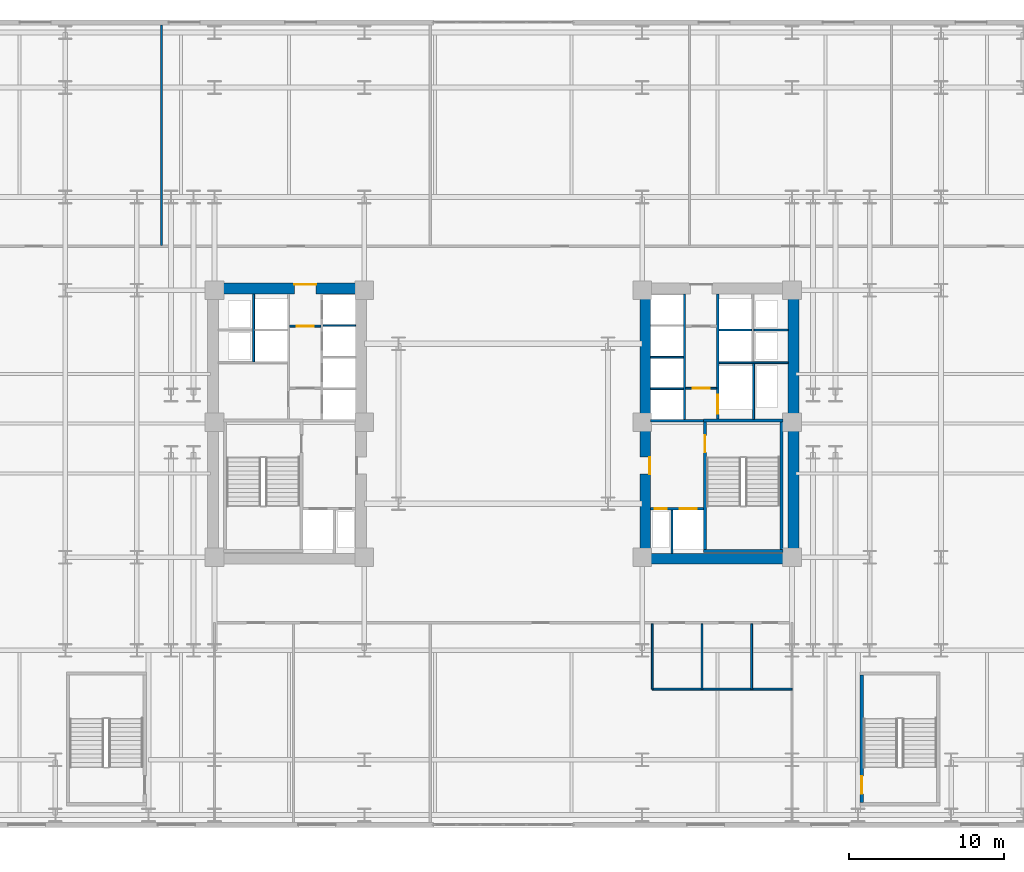
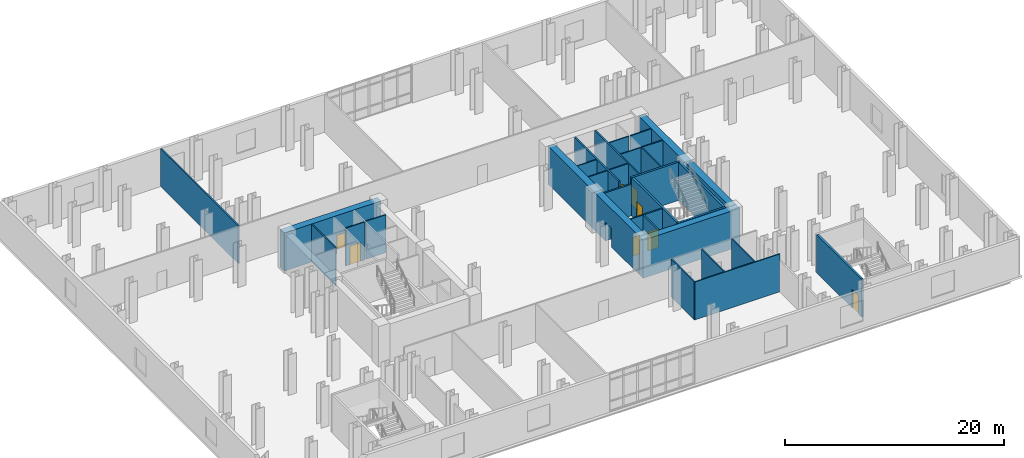
# One storey, part 9 of 13: 29 walls, 9 doors, 9 openings.
"""IFC4 building model written with IfcOpenShell, lengths in metres."""

import ifcopenshell
import ifcopenshell.guid

model = None  # the IFC model being written
_history = None  # IfcOwnerHistory: only IFC2X3 demands one
_inside = {}  # id of a spatial element -> (the spatial element, [elements in it])
_under = {}  # id of a project, library or spatial element -> (it, [spatial elements below it])
_declared = {}  # id of a project -> (the project, [libraries it declares])
_typed = {}  # id of a type object -> (the type object, [elements of that type])
_made_of = {}  # id of a material, layer set ... -> (it, [elements and type objects made of it])


def new_model(schema):
    """Start an empty IFC model of exactly this schema.

    Asked for "IFC4X3", IfcOpenShell would pick the latest addendum, in which some entities
    have other attributes; the version numbers below select the first issue.
    IFC2X3 requires an IfcOwnerHistory on every rooted entity: one is made here for all.
    """
    global model, _history
    if schema == "IFC4X3":
        model = ifcopenshell.file(schema_version=(4, 3, 0, 0))
    else:
        model = ifcopenshell.file(schema=schema)
    _inside.clear()
    _under.clear()
    _declared.clear()
    _typed.clear()
    _made_of.clear()
    _history = None
    if model.schema == "IFC2X3":
        org = make("IfcOrganization", Name="unknown")
        user = make(
            "IfcPersonAndOrganization",
            ThePerson=make("IfcPerson", FamilyName="unknown"),
            TheOrganization=org,
        )
        app = make(
            "IfcApplication",
            ApplicationDeveloper=org,
            Version="unknown",
            ApplicationFullName="unknown",
            ApplicationIdentifier="unknown",
        )
        _history = make(
            "IfcOwnerHistory",
            OwningUser=user,
            OwningApplication=app,
            ChangeAction="ADDED",
            CreationDate=0,
        )
    return model


def make(cls, **values):
    """One entity of the class cls with the attributes given. An attribute that is None is left unset."""
    return model.create_entity(
        cls, **{name: value for name, value in values.items() if value is not None}
    )


def rooted(cls, **values):
    """An entity with a GlobalId (a new one), such as an element, a storey or a relation."""
    return make(cls, GlobalId=ifcopenshell.guid.new(), OwnerHistory=_history, **values)


def si_unit(unit_type, name, prefix=None):
    """IfcSIUnit, for example si_unit("LENGTHUNIT", "METRE", prefix="MILLI")."""
    return make("IfcSIUnit", UnitType=unit_type, Prefix=prefix, Name=name)


def assignment(units):
    """IfcUnitAssignment: the units of a project."""
    return None if units is None else make("IfcUnitAssignment", Units=units)


def point(xyz):
    """IfcCartesianPoint."""
    return None if xyz is None else make("IfcCartesianPoint", Coordinates=xyz)


def direction(xyz):
    """IfcDirection."""
    return None if xyz is None else make("IfcDirection", DirectionRatios=xyz)


def frame(location, z_axis=None, x_axis=None):
    """IfcAxis2Placement3D, a coordinate frame: its origin and axes. An axis left out is left unset."""
    return make(
        "IfcAxis2Placement3D",
        Location=point(location),
        Axis=direction(z_axis),
        RefDirection=direction(x_axis),
    )


def frame_2d(location, x_axis=None):
    """IfcAxis2Placement2D, a coordinate frame in the plane: its origin and x axis."""
    return make(
        "IfcAxis2Placement2D", Location=point(location), RefDirection=direction(x_axis)
    )


def origin():
    """The frame at (0, 0, 0) with its axes left unset."""
    return frame((0.0, 0.0, 0.0))


def place(relative_to, where):
    """IfcLocalPlacement: puts the frame where relative to a parent placement (None: the world)."""
    return make(
        "IfcLocalPlacement", PlacementRelTo=relative_to, RelativePlacement=where
    )


def context(
    kind, dimensions, precision=None, world=None, true_north=None, identifier=None
):
    """IfcGeometricRepresentationContext, for example the 3D "Model" context."""
    return make(
        "IfcGeometricRepresentationContext",
        ContextIdentifier=identifier,
        ContextType=kind,
        CoordinateSpaceDimension=dimensions,
        Precision=precision,
        WorldCoordinateSystem=world,
        TrueNorth=true_north,
    )


def subcontext(parent, identifier, kind, view, scale=None):
    """IfcGeometricRepresentationSubContext, for example "Body" below "Model"."""
    return make(
        "IfcGeometricRepresentationSubContext",
        ContextIdentifier=identifier,
        ContextType=kind,
        ParentContext=parent,
        TargetScale=scale,
        TargetView=view,
    )


def project(units=None, contexts=None):
    """IfcProject with its units and contexts."""
    return rooted(
        "IfcProject",
        Name="project",
        RepresentationContexts=contexts,
        UnitsInContext=assignment(units),
    )


def spatial(cls, under=None, at=None, **own):
    """A site, building, storey or space (cls), placed at a placement, below another one or the project."""
    s = rooted(cls, ObjectPlacement=at, **own)
    if under is not None:
        _under.setdefault(under.id(), (under, []))[1].append(s)
    return s


def profile(cls, at=None, kind="AREA", **sizes):
    """A parametric profile (cls). Its sizes go by their IFC names, for example OverallWidth=200.0."""
    return make(cls, ProfileType=kind, Position=at, **sizes)


def rectangle(**sizes):
    """IfcRectangleProfileDef."""
    return profile("IfcRectangleProfileDef", **sizes)


def extrude(swept, where, along, depth):
    """IfcExtrudedAreaSolid: the profile swept, set in the frame where, extruded along a direction by depth."""
    return make(
        "IfcExtrudedAreaSolid",
        SweptArea=swept,
        Position=where,
        ExtrudedDirection=direction(along),
        Depth=depth,
    )


def shape(context_of_items, identifier, shape_type, items):
    """IfcShapeRepresentation: the items that make up one representation, for example the "Body"."""
    return make(
        "IfcShapeRepresentation",
        ContextOfItems=context_of_items,
        RepresentationIdentifier=identifier,
        RepresentationType=shape_type,
        Items=items,
    )


def material(Name=None, Category=None):
    """IfcMaterial."""
    return make("IfcMaterial", Name=Name, Category=Category)


def layer(
    of_material, thickness, ventilated=None, Name=None, Category=None, Priority=None
):
    """IfcMaterialLayer: one layer of a wall or slab, of a material (None: an air gap)."""
    return make(
        "IfcMaterialLayer",
        Material=of_material,
        LayerThickness=thickness,
        IsVentilated=ventilated,
        Name=Name,
        Category=Category,
        Priority=Priority,
    )


def layer_set(layers, Name=None):
    """IfcMaterialLayerSet."""
    return make("IfcMaterialLayerSet", MaterialLayers=layers, LayerSetName=Name)


def made_of(thing, what):
    """Note that an element or type object is made of a material, layer set ...; save() writes the relation."""
    if what is not None:
        _made_of.setdefault(what.id(), (what, []))[1].append(thing)
    return thing


def type_object(cls, material=None, **own):
    """A type object (cls), such as IfcWallType, which elements share."""
    return made_of(rooted(cls, **own), material)


def element(
    cls,
    number,
    at=None,
    inside=None,
    cuts=None,
    type_object=None,
    material=None,
    context=None,
    identifier="Body",
    shape_type=None,
    held_by="IfcProductDefinitionShape",
    body=None,
    shapes=None,
    **own,
):
    """One element of the class cls, such as IfcWall. Its Tag is "e" and its number.

    at: its placement. inside: the storey or other place that contains it. cuts: it is an
    opening in that element (IfcRelVoidsElement). A single representation is given by context,
    identifier, shape_type and body (its items); several are given by shapes. held_by: the class
    of the entity that holds the representations. save() writes the other relations.
    """
    e = rooted(cls, Tag="e%d" % number, ObjectPlacement=at, **own)
    if body is not None:
        shapes = [shape(context, identifier, shape_type, body)]
    if shapes is not None:
        e.Representation = make(held_by, Representations=shapes)
    if inside is not None:
        _inside.setdefault(inside.id(), (inside, []))[1].append(e)
    if cuts is not None:
        rooted(
            "IfcRelVoidsElement", RelatingBuildingElement=cuts, RelatedOpeningElement=e
        )
    if type_object is not None:
        _typed.setdefault(type_object.id(), (type_object, []))[1].append(e)
    return made_of(e, material)


def fill(opening, filler):
    """IfcRelFillsElement: the door or window that sits in an opening."""
    return rooted(
        "IfcRelFillsElement",
        RelatingOpeningElement=opening,
        RelatedBuildingElement=filler,
    )


def aggregate(whole, parts):
    """IfcRelAggregates: a whole, such as a stair, and the parts it consists of."""
    return rooted("IfcRelAggregates", RelatingObject=whole, RelatedObjects=parts)


def save(model, path):
    """Write the relations noted so far, then the file.

    IfcRelAggregates (storeys below a building ...), IfcRelContainedInSpatialStructure (elements
    in a storey), IfcRelDefinesByType, IfcRelAssociatesMaterial and IfcRelDeclares: one each for
    every whole, place, type object, material and project.
    """
    for whole, parts in _under.values():
        aggregate(whole, parts)
    for where, things in _inside.values():
        rooted(
            "IfcRelContainedInSpatialStructure",
            RelatedElements=things,
            RelatingStructure=where,
        )
    for kind, things in _typed.values():
        rooted("IfcRelDefinesByType", RelatedObjects=things, RelatingType=kind)
    for what, things in _made_of.values():
        rooted("IfcRelAssociatesMaterial", RelatedObjects=things, RelatingMaterial=what)
    for by, libraries in _declared.values():
        rooted("IfcRelDeclares", RelatingContext=by, RelatedDefinitions=libraries)
    model.write(path)


model = new_model("IFC4")

# Units and contexts
model_context = context("Model", 3, precision=1e-05, world=origin(), true_north=direction((0.0, 1.0)))
body_context = subcontext(model_context, "Body", "Model", "MODEL_VIEW")
ifc_project = project(units=[si_unit("LENGTHUNIT", "METRE"), si_unit("AREAUNIT", "SQUARE_METRE"), si_unit("VOLUMEUNIT", "CUBIC_METRE"), si_unit("PLANEANGLEUNIT", "RADIAN"), si_unit("MASSUNIT", "GRAM", prefix="KILO")], contexts=[model_context])

# Site, building, storey
site_placement = place(None, origin())
site = spatial("IfcSite", under=ifc_project, at=site_placement, CompositionType="ELEMENT")
building_placement = place(site_placement, origin())
building = spatial("IfcBuilding", under=site, at=building_placement, Name="Velakula Bourse", CompositionType="ELEMENT")
storey_placement = place(building_placement, frame((0.0, 0.0, 9.60009765625)))
storey = spatial("IfcBuildingStorey", under=building, at=storey_placement, Name="L02", CompositionType="ELEMENT", Elevation=9.60009765625)

# Wall, opening, door
ifc_material_1 = material(Name="Concrete M50 (fck 50 MPa)", Category="concrete")
ifc_layer_1 = layer(ifc_material_1, 0.2099609375, Name="Concrete M50 (fck 50 MPa)", Category="concrete")
ifc_layer_set_1 = layer_set([ifc_layer_1], Name="Concrete M50 (fck 50 MPa)")
wall_type_1 = type_object("IfcWallType", Name="WL-CORE-210", PredefinedType="SHEAR", material=ifc_layer_set_1)
wall_1_placement = place(storey_placement, frame((12.9951171875, -8.10009765625, 0.0), z_axis=(0.0, 0.0, 1.0), x_axis=(0.0, 1.0, 0.0)))
wall_1 = element("IfcWall", 1, at=wall_1_placement, inside=storey, type_object=wall_type_1, Name="L02 Core E Stairwell Shear Wall IN", PredefinedType="SHEAR", context=body_context, shape_type="SweptSolid", body=[
    extrude(rectangle(XDim=8.2001953125, YDim=0.2099609375, at=frame_2d((4.10009765625, 0.0))), origin(), (0.0, 0.0, 1.0), 4.25),
])
opening_1_placement = place(wall_1_placement, frame((6.25, 0.0, 0.0)))
opening_1 = element("IfcOpeningElement", 2, at=opening_1_placement, cuts=wall_1, Name="Opening D-STE1", PredefinedType="OPENING", context=body_context, shape_type="SweptSolid", body=[
    extrude(rectangle(XDim=1.10009765625, YDim=2.14990234375, at=frame_2d((0.550048828125, 1.074951171875))), frame((0.0, 0.114990234375, 0.0), z_axis=(0.0, -1.0, 0.0), x_axis=(1.0, 0.0, 0.0)), (0.0, 0.0, 1.0), 0.22998046875),
])
ifc_material_2 = material(Name="Galvanised painted hollow steel fire door", Category="steel")
door_type_1 = type_object("IfcDoorType", Name="DR-FD120-1100x2150", OperationType="NOTDEFINED", PredefinedType="DOOR", material=ifc_material_2)
door_1_placement = place(opening_1_placement, origin())
door_1 = element("IfcDoor", 3, at=door_1_placement, inside=storey, type_object=door_type_1, Name="L02 Stair ST-E1 Fire Door", OperationType="SINGLE_SWING_RIGHT", OverallHeight=2.14990234375, OverallWidth=1.10009765625, PredefinedType="DOOR", context=body_context, shape_type="SweptSolid", body=[
    extrude(rectangle(XDim=1.10009765625, YDim=2.14990234375, at=frame_2d((0.550048828125, 1.074951171875))), frame((0.0, 0.02490234375, 0.0), z_axis=(0.0, -1.0, 0.0), x_axis=(1.0, 0.0, 0.0)), (0.0, 0.0, 1.0), 0.050048828125),
])
fill(opening_1, door_1)

# Walls
wall_2_placement = place(storey_placement, frame((17.925048828125, -8.10009765625, 0.0), z_axis=(0.0, 0.0, 1.0), x_axis=(0.0, 1.0, 0.0)))
element("IfcWall", 4, at=wall_2_placement, inside=storey, type_object=wall_type_1, Name="L02 Core E Stairwell Shear Wall OUT", PredefinedType="SHEAR", context=body_context, shape_type="SweptSolid", body=[
    extrude(rectangle(XDim=8.2001953125, YDim=0.2099609375, at=frame_2d((4.10009765625, 0.0))), origin(), (0.0, 0.0, 1.0), 4.25),
])
for number, where, z_axis, x_axis, name in (
    (5, (12.889892578125, -8.205078125, 0.0), (0.0, 0.0, 1.0), (1.0, 0.0, 0.0), "L02 Core E Stairwell Shear Wall S"),
    (6, (18.030029296875, 0.205078125, 0.0), (0.0, 0.0, 1.0), (-1.0, 0.0, 0.0), "L02 Core E Stairwell Shear Wall N"),
):
    element("IfcWall", number, at=place(storey_placement, frame(where, z_axis=z_axis, x_axis=x_axis)), inside=storey, type_object=wall_type_1, Name=name, PredefinedType="SHEAR", context=body_context, shape_type="SweptSolid", body=[
        extrude(rectangle(XDim=5.14013671875, YDim=0.2099609375, at=frame_2d((2.570068359375, 0.0))), origin(), (0.0, 0.0, 1.0), 4.25),
    ])

# Wall, opening, door
wall_3_placement = place(storey_placement, frame((23.094970703125, -24.39990234375, 0.0), z_axis=(0.0, 0.0, 1.0), x_axis=(0.0, 1.0, 0.0)))
wall_3 = element("IfcWall", 7, at=wall_3_placement, inside=storey, type_object=wall_type_1, Name="L02 Podium Stair ST-P2 Shear Wall W", PredefinedType="SHEAR", context=body_context, shape_type="SweptSolid", body=[
    extrude(rectangle(XDim=8.199951171875, YDim=0.2099609375, at=frame_2d((4.10009765625, 0.0))), origin(), (0.0, 0.0, 1.0), 4.25),
])
opening_2_placement = place(wall_3_placement, frame((0.550048828125, 0.0, 0.0)))
opening_2 = element("IfcOpeningElement", 8, at=opening_2_placement, cuts=wall_3, Name="Opening D-P2", PredefinedType="OPENING", context=body_context, shape_type="SweptSolid", body=[
    extrude(rectangle(XDim=1.14990234375, YDim=2.10009765625, at=frame_2d((0.574951171875, 1.050048828125))), frame((0.0, 0.114990234375, 0.0), z_axis=(0.0, -1.0, 0.0), x_axis=(1.0, 0.0, 0.0)), (0.0, 0.0, 1.0), 0.22998046875),
])
door_type_2 = type_object("IfcDoorType", Name="DR-FD120-1150x2100", OperationType="NOTDEFINED", PredefinedType="DOOR", material=ifc_material_2)
door_2_placement = place(opening_2_placement, origin())
door_2 = element("IfcDoor", 9, at=door_2_placement, inside=storey, type_object=door_type_2, Name="L02 Stair ST-P2 Fire Door", OperationType="SINGLE_SWING_RIGHT", OverallHeight=2.10009765625, OverallWidth=1.14990234375, PredefinedType="DOOR", context=body_context, shape_type="SweptSolid", body=[
    extrude(rectangle(XDim=1.14990234375, YDim=2.10009765625, at=frame_2d((0.574951171875, 1.050048828125))), frame((0.0, 0.02490234375, 0.0), z_axis=(0.0, -1.0, 0.0), x_axis=(1.0, 0.0, 0.0)), (0.0, 0.0, 1.0), 0.050048828125),
])
fill(opening_2, door_2)

ifc_material_3 = material(Name="Concrete M70 (fck 70 MPa)", Category="concrete")
ifc_layer_2 = layer(ifc_material_3, 0.699951171875, Name="Concrete M70 (fck 70 MPa)", Category="concrete")
ifc_layer_set_2 = layer_set([ifc_layer_2], Name="Concrete M70 (fck 70 MPa)")
wall_type_2 = type_object("IfcWallType", Name="WL-CORE-700", PredefinedType="SHEAR", material=ifc_layer_set_2)
wall_4_placement = place(storey_placement, frame((-19.050048828125, 8.699951171875, 0.0), z_axis=(0.0, 0.0, 1.0), x_axis=(1.0, 0.0, 0.0)))
wall_4 = element("IfcWall", 10, at=wall_4_placement, inside=storey, type_object=wall_type_2, Name="L02 Core W Shear Wall N", PredefinedType="SHEAR", context=body_context, shape_type="SweptSolid", body=[
    extrude(rectangle(XDim=10.25, YDim=0.699951171875, at=frame_2d((5.125, 0.0))), origin(), (0.0, 0.0, 1.0), 4.25),
])
opening_3_placement = place(wall_4_placement, frame((5.60009765625, 0.0, 0.0)))
opening_3 = element("IfcOpeningElement", 11, at=opening_3_placement, cuts=wall_4, Name="Opening D-LLW", PredefinedType="OPENING", context=body_context, shape_type="SweptSolid", body=[
    extrude(rectangle(XDim=1.39990234375, YDim=2.050048828125, at=frame_2d((0.699951171875, 1.02490234375))), frame((0.0, 0.35986328125, 0.0), z_axis=(0.0, -1.0, 0.0), x_axis=(1.0, 0.0, 0.0)), (0.0, 0.0, 1.0), 0.719970703125),
])
ifc_material_4 = material(Name="Fire-rated hardwood flush architectural door", Category="wood")
door_type_3 = type_object("IfcDoorType", Name="DR-DBL-FD60-1400", OperationType="DOUBLE_DOOR_SINGLE_SWING", PredefinedType="DOOR", material=ifc_material_4)
door_3_placement = place(opening_3_placement, origin())
door_3 = element("IfcDoor", 12, at=door_3_placement, inside=storey, type_object=door_type_3, Name="L02 Core W Lift Lobby Corridor Double Door", OperationType="DOUBLE_DOOR_SINGLE_SWING", OverallHeight=2.050048828125, OverallWidth=1.39990234375, PredefinedType="DOOR", context=body_context, shape_type="SweptSolid", body=[
    extrude(rectangle(XDim=1.39990234375, YDim=2.050048828125, at=frame_2d((0.699951171875, 1.02490234375))), frame((0.0, 0.294921875, 0.0), z_axis=(0.0, -1.0, 0.0), x_axis=(1.0, 0.0, 0.0)), (0.0, 0.0, 1.0), 0.050048828125),
])
fill(opening_3, door_3)

# Wall
wall_5_placement = place(storey_placement, frame((8.800048828125, -8.699951171875, 0.0), z_axis=(0.0, 0.0, 1.0), x_axis=(1.0, 0.0, 0.0)))
element("IfcWall", 13, at=wall_5_placement, inside=storey, type_object=wall_type_2, Name="L02 Core E Shear Wall S", PredefinedType="SHEAR", context=body_context, shape_type="SweptSolid", body=[
    extrude(rectangle(XDim=10.25, YDim=0.699951171875, at=frame_2d((5.125, 0.0))), origin(), (0.0, 0.0, 1.0), 4.25),
])

# Wall, opening, door
wall_6_placement = place(storey_placement, frame((9.14990234375, -8.35009765625, 0.0), z_axis=(0.0, 0.0, 1.0), x_axis=(0.0, 1.0, 0.0)))
wall_6 = element("IfcWall", 14, at=wall_6_placement, inside=storey, type_object=wall_type_2, Name="L02 Core E Shear Wall W", PredefinedType="SHEAR", context=body_context, shape_type="SweptSolid", body=[
    extrude(rectangle(XDim=16.7001953125, YDim=0.699951171875, at=frame_2d((8.35009765625, 0.0))), origin(), (0.0, 0.0, 1.0), 4.25),
])
opening_4_placement = place(wall_6_placement, frame((5.10009765625, 0.0, 0.0)))
opening_4 = element("IfcOpeningElement", 15, at=opening_4_placement, cuts=wall_6, Name="Opening D-FLE", PredefinedType="OPENING", context=body_context, shape_type="SweptSolid", body=[
    extrude(rectangle(XDim=1.10009765625, YDim=2.080078125, at=frame_2d((0.550048828125, 1.0400390625))), frame((0.0, 0.35986328125, 0.0), z_axis=(0.0, -1.0, 0.0), x_axis=(1.0, 0.0, 0.0)), (0.0, 0.0, 1.0), 0.719970703125),
])
door_type_4 = type_object("IfcDoorType", Name="DR-FD120-1100", OperationType="NOTDEFINED", PredefinedType="DOOR", material=ifc_material_2)
door_4_placement = place(opening_4_placement, origin())
door_4 = element("IfcDoor", 16, at=door_4_placement, inside=storey, type_object=door_type_4, Name="L02 Firefighting Lobby E Corridor Fire Door", OperationType="SINGLE_SWING_RIGHT", OverallHeight=2.080078125, OverallWidth=1.10009765625, PredefinedType="DOOR", context=body_context, shape_type="SweptSolid", body=[
    extrude(rectangle(XDim=1.10009765625, YDim=2.080078125, at=frame_2d((0.550048828125, 1.0400390625))), frame((0.0, -0.2548828125, 0.0), z_axis=(0.0, -1.0, 0.0), x_axis=(1.0, 0.0, 0.0)), (0.0, 0.0, 1.0), 0.050048828125),
])
fill(opening_4, door_4)

# Wall
wall_7_placement = place(storey_placement, frame((18.699951171875, -8.35009765625, 0.0), z_axis=(0.0, 0.0, 1.0), x_axis=(0.0, 1.0, 0.0)))
element("IfcWall", 17, at=wall_7_placement, inside=storey, type_object=wall_type_2, Name="L02 Core E Shear Wall E", PredefinedType="SHEAR", context=body_context, shape_type="SweptSolid", body=[
    extrude(rectangle(XDim=16.7001953125, YDim=0.699951171875, at=frame_2d((8.35009765625, 0.0))), origin(), (0.0, 0.0, 1.0), 4.25),
])

# Wall, opening, door
ifc_material_5 = material(Name="Fire-rated double-layer gypsum drywall partition", Category="gypsum")
ifc_layer_3 = layer(ifc_material_5, 0.1201171875, Name="Fire-rated double-layer gypsum drywall partition", Category="gypsum")
ifc_layer_set_3 = layer_set([ifc_layer_3], Name="Fire-rated double-layer gypsum drywall partition")
wall_type_3 = type_object("IfcWallType", Name="WL-PART-120", PredefinedType="STANDARD", material=ifc_layer_set_3)
wall_8_placement = place(storey_placement, frame((-13.75, 6.280029296875, 0.0), z_axis=(0.0, 0.0, 1.0), x_axis=(1.0, 0.0, 0.0)))
wall_8 = element("IfcWall", 18, at=wall_8_placement, inside=storey, type_object=wall_type_3, Name="L02 Interior Partition WL-CRW-L02-LL-K3B", PredefinedType="STANDARD", context=body_context, shape_type="SweptSolid", body=[
    extrude(rectangle(XDim=2.0, YDim=0.1201171875, at=frame_2d((1.0, 0.0))), origin(), (0.0, 0.0, 1.0), 4.22998046875),
])
opening_5_placement = place(wall_8_placement, frame((0.449951171875, 0.0, 0.0)))
opening_5 = element("IfcOpeningElement", 19, at=opening_5_placement, cuts=wall_8, Name="Opening D-LK3", PredefinedType="OPENING", context=body_context, shape_type="SweptSolid", body=[
    extrude(rectangle(XDim=1.10009765625, YDim=2.10009765625, at=frame_2d((0.550048828125, 1.050048828125))), frame((0.0, 0.070068359375, 0.0), z_axis=(0.0, -1.0, 0.0), x_axis=(1.0, 0.0, 0.0)), (0.0, 0.0, 1.0), 0.14013671875),
])
door_type_5 = type_object("IfcDoorType", Name="DR-FD60-1100x2100", OperationType="NOTDEFINED", PredefinedType="DOOR", material=ifc_material_4)
door_5_placement = place(opening_5_placement, origin())
door_5 = element("IfcDoor", 20, at=door_5_placement, inside=storey, type_object=door_type_5, Name="L02 Core W Lift Lobby Vestibule Door B", OperationType="SINGLE_SWING_RIGHT", OverallHeight=2.10009765625, OverallWidth=1.10009765625, PredefinedType="DOOR", context=body_context, shape_type="SweptSolid", body=[
    extrude(rectangle(XDim=1.10009765625, YDim=2.10009765625, at=frame_2d((0.550048828125, 1.050048828125))), frame((0.0, 0.02490234375, 0.0), z_axis=(0.0, -1.0, 0.0), x_axis=(1.0, 0.0, 0.0)), (0.0, 0.0, 1.0), 0.050048828125),
])
fill(opening_5, door_5)

# Walls
wall_9_placement = place(storey_placement, frame((-11.60009765625, 6.31494140625, 0.0), z_axis=(0.0, 0.0, 1.0), x_axis=(1.0, 0.0, 0.0)))
element("IfcWall", 21, at=wall_9_placement, inside=storey, type_object=wall_type_3, Name="L02 Interior Partition WL-CRW-L02-BDIV-2", PredefinedType="STANDARD", context=body_context, shape_type="SweptSolid", body=[
    extrude(rectangle(XDim=2.10009765625, YDim=0.110107421875, at=frame_2d((1.050048828125, 0.0))), origin(), (0.0, 0.0, 1.0), 4.22998046875),
])
wall_10_placement = place(storey_placement, frame((-16.074951171875, 3.97998046875, 0.0), z_axis=(0.0, 0.0, 1.0), x_axis=(0.0, 1.0, 0.0)))
element("IfcWall", 22, at=wall_10_placement, inside=storey, type_object=wall_type_3, Name="L02 Interior Partition WL-CRW-L02-RIS-F", PredefinedType="STANDARD", context=body_context, shape_type="SweptSolid", body=[
    extrude(rectangle(XDim=4.3701171875, YDim=0.1201171875, at=frame_2d((2.18505859375, 0.0))), origin(), (0.0, 0.0, 1.0), 4.22998046875),
])

# Wall, opening, door
wall_11_placement = place(storey_placement, frame((11.75, 2.280029296875, 0.0), z_axis=(0.0, 0.0, 1.0), x_axis=(1.0, 0.0, 0.0)))
wall_11 = element("IfcWall", 23, at=wall_11_placement, inside=storey, type_object=wall_type_3, Name="L02 Interior Partition WL-CRE-L02-LL-K3A", PredefinedType="STANDARD", context=body_context, shape_type="SweptSolid", body=[
    extrude(rectangle(XDim=2.0, YDim=0.1201171875, at=frame_2d((1.0, 0.0))), origin(), (0.0, 0.0, 1.0), 4.22998046875),
])
opening_6_placement = place(wall_11_placement, frame((0.449951171875, 0.0, 0.0)))
opening_6 = element("IfcOpeningElement", 24, at=opening_6_placement, cuts=wall_11, Name="Opening D-LK3", PredefinedType="OPENING", context=body_context, shape_type="SweptSolid", body=[
    extrude(rectangle(XDim=1.10009765625, YDim=2.10009765625, at=frame_2d((0.550048828125, 1.050048828125))), frame((0.0, 0.070068359375, 0.0), z_axis=(0.0, -1.0, 0.0), x_axis=(1.0, 0.0, 0.0)), (0.0, 0.0, 1.0), 0.14013671875),
])
door_6_placement = place(opening_6_placement, origin())
door_6 = element("IfcDoor", 25, at=door_6_placement, inside=storey, type_object=door_type_5, Name="L02 Core E Lift Lobby Vestibule Door A", OperationType="SINGLE_SWING_RIGHT", OverallHeight=2.10009765625, OverallWidth=1.10009765625, PredefinedType="DOOR", context=body_context, shape_type="SweptSolid", body=[
    extrude(rectangle(XDim=1.10009765625, YDim=2.10009765625, at=frame_2d((0.550048828125, 1.050048828125))), frame((0.0, 0.02490234375, 0.0), z_axis=(0.0, -1.0, 0.0), x_axis=(1.0, 0.0, 0.0)), (0.0, 0.0, 1.0), 0.050048828125),
])
fill(opening_6, door_6)

# Walls
for number, where, z_axis, x_axis, name in (
    (26, (9.5, 2.2548828125, 0.0), (0.0, 0.0, 1.0), (1.0, 0.0, 0.0), "L02 Interior Partition WL-CRE-L02-BDIV-0"),
    (27, (9.5, 4.284912109375, 0.0), (0.0, 0.0, 1.0), (1.0, 0.0, 0.0), "L02 Interior Partition WL-CRE-L02-BDIV-1"),
):
    element("IfcWall", number, at=place(storey_placement, frame(where, z_axis=z_axis, x_axis=x_axis)), inside=storey, type_object=wall_type_3, Name=name, PredefinedType="STANDARD", context=body_context, shape_type="SweptSolid", body=[
        extrude(rectangle(XDim=2.10009765625, YDim=0.110107421875, at=frame_2d((1.050048828125, 0.0))), origin(), (0.0, 0.0, 1.0), 4.22998046875),
    ])
wall_12_placement = place(storey_placement, frame((13.89990234375, 3.919921875, 0.0), z_axis=(0.0, 0.0, 1.0), x_axis=(1.0, 0.0, 0.0)))
element("IfcWall", 28, at=wall_12_placement, inside=storey, type_object=wall_type_3, Name="L02 Interior Partition WL-CRE-L02-HI-S", PredefinedType="STANDARD", context=body_context, shape_type="SweptSolid", body=[
    extrude(rectangle(XDim=4.4501953125, YDim=0.1201171875, at=frame_2d((2.22509765625, 0.0))), origin(), (0.0, 0.0, 1.0), 4.22998046875),
])
wall_13_placement = place(storey_placement, frame((16.14990234375, 6.030029296875, 0.0), z_axis=(0.0, 0.0, 1.0), x_axis=(1.0, 0.0, 0.0)))
element("IfcWall", 29, at=wall_13_placement, inside=storey, type_object=wall_type_3, Name="L02 Interior Partition WL-CRE-L02-RIS-MID", PredefinedType="STANDARD", context=body_context, shape_type="SweptSolid", body=[
    extrude(rectangle(XDim=2.2001953125, YDim=0.1201171875, at=frame_2d((1.10009765625, 0.0))), origin(), (0.0, 0.0, 1.0), 4.22998046875),
])
wall_14_placement = place(storey_placement, frame((13.89990234375, 6.030029296875, 0.0), z_axis=(0.0, 0.0, 1.0), x_axis=(1.0, 0.0, 0.0)))
element("IfcWall", 30, at=wall_14_placement, inside=storey, type_object=wall_type_3, Name="L02 Interior Partition WL-CRE-L02-HI-DIV", PredefinedType="STANDARD", context=body_context, shape_type="SweptSolid", body=[
    extrude(rectangle(XDim=2.10009765625, YDim=0.1201171875, at=frame_2d((1.050048828125, 0.0))), origin(), (0.0, 0.0, 1.0), 4.22998046875),
])
wall_15_placement = place(storey_placement, frame((16.125, 0.27001953125, 0.0), z_axis=(0.0, 0.0, 1.0), x_axis=(0.0, 1.0, 0.0)))
element("IfcWall", 31, at=wall_15_placement, inside=storey, type_object=wall_type_3, Name="L02 Interior Partition WL-CRE-L02-SVL-E", PredefinedType="STANDARD", context=body_context, shape_type="SweptSolid", body=[
    extrude(rectangle(XDim=3.590087890625, YDim=0.1201171875, at=frame_2d((1.794921875, 0.0))), origin(), (0.0, 0.0, 1.0), 4.22998046875),
])
ifc_layer_4 = layer(ifc_material_5, 0.139892578125, Name="Fire-rated double-layer gypsum drywall partition", Category="gypsum")
ifc_layer_set_4 = layer_set([ifc_layer_4], Name="Fire-rated double-layer gypsum drywall partition")
wall_type_4 = type_object("IfcWallType", Name="WL-PART-140", PredefinedType="STANDARD", material=ifc_layer_set_4)
wall_16_placement = place(storey_placement, frame((-22.0, 11.489990234375, 0.0), z_axis=(0.0, 0.0, 1.0), x_axis=(0.0, 1.0, 0.0)))
element("IfcWall", 32, at=wall_16_placement, inside=storey, type_object=wall_type_4, Name="L02 Interior Partition WL-POD-L02-ND1", PredefinedType="STANDARD", context=body_context, shape_type="SweptSolid", body=[
    extrude(rectangle(XDim=14.18994140625, YDim=0.139892578125, at=frame_2d((7.094970703125, 0.0))), origin(), (0.0, 0.0, 1.0), 4.22998046875),
])
wall_17_placement = place(storey_placement, frame((9.60009765625, -17.10009765625, 0.0), z_axis=(0.0, 0.0, 1.0), x_axis=(1.0, 0.0, 0.0)))
element("IfcWall", 33, at=wall_17_placement, inside=storey, type_object=wall_type_4, Name="L02 Interior Partition WL-POD-L02-WC-BACK", PredefinedType="STANDARD", context=body_context, shape_type="SweptSolid", body=[
    extrude(rectangle(XDim=9.0, YDim=0.1201171875, at=frame_2d((4.5, 0.0))), origin(), (0.0, 0.0, 1.0), 4.22998046875),
])
for number, where, z_axis, x_axis, name in (
    (34, (9.60009765625, -17.10009765625, 0.0), (0.0, 0.0, 1.0), (0.0, 1.0, 0.0), "L02 Interior Partition WL-POD-L02-WC-V1"),
    (35, (12.800048828125, -17.10009765625, 0.0), (0.0, 0.0, 1.0), (0.0, 1.0, 0.0), "L02 Interior Partition WL-POD-L02-WC-V2"),
    (36, (16.0, -17.10009765625, 0.0), (0.0, 0.0, 1.0), (0.0, 1.0, 0.0), "L02 Interior Partition WL-POD-L02-WC-V3"),
):
    element("IfcWall", number, at=place(storey_placement, frame(where, z_axis=z_axis, x_axis=x_axis)), inside=storey, type_object=wall_type_4, Name=name, PredefinedType="STANDARD", context=body_context, shape_type="SweptSolid", body=[
        extrude(rectangle(XDim=4.210205078125, YDim=0.1201171875, at=frame_2d((2.10498046875, 0.0))), origin(), (0.0, 0.0, 1.0), 4.22998046875),
    ])

# Wall, openings, doors
ifc_material_6 = material(Name="Autoclaved aerated concrete blockwork masonry", Category="masonry")
ifc_layer_5 = layer(ifc_material_6, 0.14990234375, Name="Autoclaved aerated concrete blockwork masonry", Category="masonry")
ifc_layer_set_5 = layer_set([ifc_layer_5], Name="Autoclaved aerated concrete blockwork masonry")
wall_type_5 = type_object("IfcWallType", Name="WL-SHAFT-150", PredefinedType="STANDARD", material=ifc_layer_set_5)
wall_18_placement = place(storey_placement, frame((9.5, -5.47509765625, 0.0), z_axis=(0.0, 0.0, 1.0), x_axis=(1.0, 0.0, 0.0)))
wall_18 = element("IfcWall", 37, at=wall_18_placement, inside=storey, type_object=wall_type_5, Name="L02 Interior Partition WL-CRE-L02-FFL-N", PredefinedType="STANDARD", context=body_context, shape_type="SweptSolid", body=[
    extrude(rectangle(XDim=3.39501953125, YDim=0.14990234375, at=frame_2d((1.697509765625, 0.0))), origin(), (0.0, 0.0, 1.0), 4.22998046875),
])
opening_7_placement = place(wall_18_placement, frame((1.875, 0.0, 0.0)))
opening_7 = element("IfcOpeningElement", 38, at=opening_7_placement, cuts=wall_18, Name="Opening LD-FFL-2", PredefinedType="OPENING", context=body_context, shape_type="SweptSolid", body=[
    extrude(rectangle(XDim=1.10009765625, YDim=2.14990234375, at=frame_2d((0.550048828125, 1.074951171875))), frame((0.0, 0.0849609375, 0.0), z_axis=(0.0, -1.0, 0.0), x_axis=(1.0, 0.0, 0.0)), (0.0, 0.0, 1.0), 0.169921875),
])
opening_8_placement = place(wall_18_placement, frame((0.27490234375, 0.0, 0.0)))
opening_8 = element("IfcOpeningElement", 39, at=opening_8_placement, cuts=wall_18, Name="Opening D-RS1", PredefinedType="OPENING", context=body_context, shape_type="SweptSolid", body=[
    extrude(rectangle(XDim=0.75, YDim=2.050048828125, at=frame_2d((0.375, 1.02490234375))), frame((0.0, 0.0849609375, 0.0), z_axis=(0.0, -1.0, 0.0), x_axis=(1.0, 0.0, 0.0)), (0.0, 0.0, 1.0), 0.169921875),
])
door_type_6 = type_object("IfcDoorType", Name="DR-RISER-800", OperationType="NOTDEFINED", PredefinedType="DOOR", material=ifc_material_2)
door_7_placement = place(opening_8_placement, origin())
door_7 = element("IfcDoor", 40, at=door_7_placement, inside=storey, type_object=door_type_6, Name="L02 Fire Riser Access Door", OperationType="SINGLE_SWING_LEFT", OverallHeight=2.050048828125, OverallWidth=0.75, PredefinedType="DOOR", context=body_context, shape_type="SweptSolid", body=[
    extrude(rectangle(XDim=0.75, YDim=2.050048828125, at=frame_2d((0.375, 1.02490234375))), frame((0.0, 0.02490234375, 0.0), z_axis=(0.0, -1.0, 0.0), x_axis=(1.0, 0.0, 0.0)), (0.0, 0.0, 1.0), 0.050048828125),
])
fill(opening_8, door_7)
ifc_material_7 = material(Name="Brushed grade 316 stainless steel", Category="steel")
door_type_7 = type_object("IfcDoorType", Name="DR-SLIDE-FFL-1100", OperationType="DOUBLE_DOOR_SLIDING", PredefinedType="DOOR", material=ifc_material_7)
door_8_placement = place(opening_7_placement, origin())
door_8 = element("IfcDoor", 41, at=door_8_placement, inside=storey, type_object=door_type_7, Name="L02 Firefighting Lift FFL-2 Sliding Landing Door", OperationType="DOUBLE_DOOR_SLIDING", OverallHeight=2.14990234375, OverallWidth=1.10009765625, PredefinedType="DOOR", context=body_context, shape_type="SweptSolid", body=[
    extrude(rectangle(XDim=1.10009765625, YDim=2.14990234375, at=frame_2d((0.550048828125, 1.074951171875))), frame((0.0, 0.02490234375, 0.0), z_axis=(0.0, -1.0, 0.0), x_axis=(1.0, 0.0, 0.0)), (0.0, 0.0, 1.0), 0.050048828125),
])
fill(opening_7, door_8)

# Walls
wall_19_placement = place(storey_placement, frame((10.875, -8.35009765625, 0.0), z_axis=(0.0, 0.0, 1.0), x_axis=(0.0, 1.0, 0.0)))
element("IfcWall", 42, at=wall_19_placement, inside=storey, type_object=wall_type_5, Name="L02 Interior Partition WL-CRE-L02-FR-DIV", PredefinedType="STANDARD", context=body_context, shape_type="SweptSolid", body=[
    extrude(rectangle(XDim=2.800048828125, YDim=0.14990234375, at=frame_2d((1.39990234375, 0.0))), origin(), (0.0, 0.0, 1.0), 4.22998046875),
])
wall_20_placement = place(storey_placement, frame((9.5, 0.18994140625, 0.0), z_axis=(0.0, 0.0, 1.0), x_axis=(1.0, 0.0, 0.0)))
element("IfcWall", 43, at=wall_20_placement, inside=storey, type_object=wall_type_5, Name="L02 Interior Partition WL-CRE-L02-FF-TOP", PredefinedType="STANDARD", context=body_context, shape_type="SweptSolid", body=[
    extrude(rectangle(XDim=3.389892578125, YDim=0.14990234375, at=frame_2d((1.69482421875, 0.0))), origin(), (0.0, 0.0, 1.0), 3.52490234375),
])
wall_21_placement = place(storey_placement, frame((11.675048828125, 0.27001953125, 0.0), z_axis=(0.0, 0.0, 1.0), x_axis=(0.0, 1.0, 0.0)))
element("IfcWall", 44, at=wall_21_placement, inside=storey, type_object=wall_type_5, Name="L02 Interior Partition WL-CRE-L02-BANK-F", PredefinedType="STANDARD", context=body_context, shape_type="SweptSolid", body=[
    extrude(rectangle(XDim=8.080078125, YDim=0.14990234375, at=frame_2d((4.0400390625, 0.0))), origin(), (0.0, 0.0, 1.0), 4.22998046875),
])

# Wall, opening, door
wall_22_placement = place(storey_placement, frame((13.824951171875, 0.27001953125, 0.0), z_axis=(0.0, 0.0, 1.0), x_axis=(0.0, 1.0, 0.0)))
wall_22 = element("IfcWall", 45, at=wall_22_placement, inside=storey, type_object=wall_type_5, Name="L02 Interior Partition WL-CRE-L02-OUT-F", PredefinedType="STANDARD", context=body_context, shape_type="SweptSolid", body=[
    extrude(rectangle(XDim=8.080078125, YDim=0.14990234375, at=frame_2d((4.0400390625, 0.0))), origin(), (0.0, 0.0, 1.0), 4.22998046875),
])
opening_9_placement = place(wall_22_placement, frame((0.3798828125, 0.0, 0.0)))
opening_9 = element("IfcOpeningElement", 46, at=opening_9_placement, cuts=wall_22, Name="Opening LD-SVL1", PredefinedType="OPENING", context=body_context, shape_type="SweptSolid", body=[
    extrude(rectangle(XDim=1.199951171875, YDim=2.10009765625, at=frame_2d((0.60009765625, 1.050048828125))), frame((0.0, 0.0849609375, 0.0), z_axis=(0.0, -1.0, 0.0), x_axis=(1.0, 0.0, 0.0)), (0.0, 0.0, 1.0), 0.169921875),
])
door_type_8 = type_object("IfcDoorType", Name="DR-SLIDE-LD-1200", OperationType="DOUBLE_DOOR_SLIDING", PredefinedType="DOOR", material=ifc_material_7)
door_9_placement = place(opening_9_placement, origin())
door_9 = element("IfcDoor", 47, at=door_9_placement, inside=storey, type_object=door_type_8, Name="L02 Service Lift SVL-1 Sliding Landing Door", OperationType="DOUBLE_DOOR_SLIDING", OverallHeight=2.10009765625, OverallWidth=1.199951171875, PredefinedType="DOOR", context=body_context, shape_type="SweptSolid", body=[
    extrude(rectangle(XDim=1.199951171875, YDim=2.10009765625, at=frame_2d((0.60009765625, 1.050048828125))), frame((0.0, 0.02490234375, 0.0), z_axis=(0.0, -1.0, 0.0), x_axis=(1.0, 0.0, 0.0)), (0.0, 0.0, 1.0), 0.050048828125),
])
fill(opening_9, door_9)

save(model, "model.ifc")
